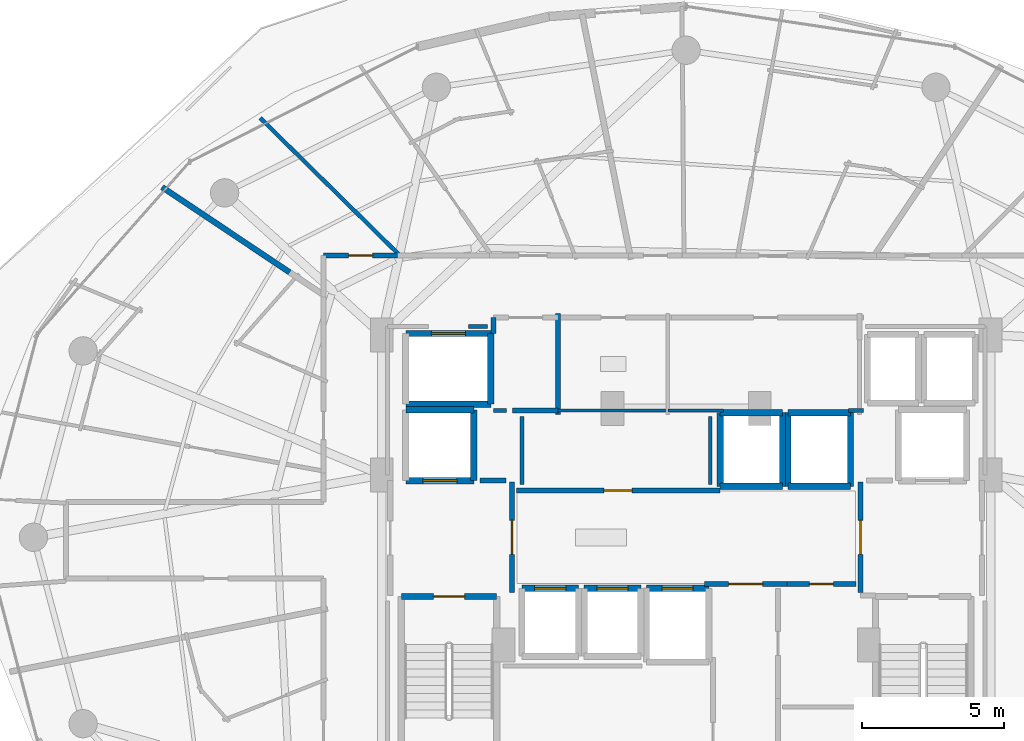
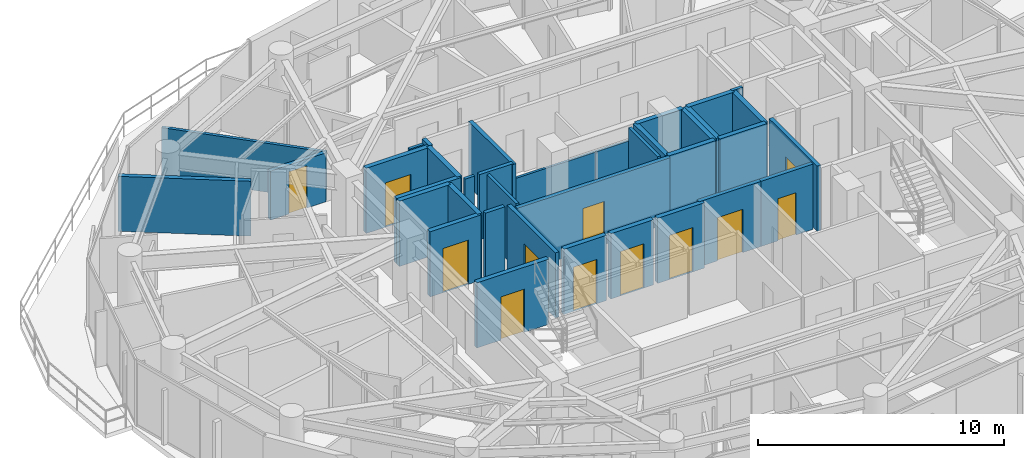
# One storey, part 22 of 29: 37 walls, 12 doors, 12 openings.
"""IFC4 building model written with IfcOpenShell, lengths in metres."""

from ifc_helpers import new_model, si_unit, direction, frame, frame_2d, origin, place, context, subcontext, project, spatial, rectangle, extrude, material, layer, layer_set, type_object, element, fill, save


model = new_model("IFC4")

# Units and contexts
model_context = context("Model", 3, precision=1e-05, world=origin(), true_north=direction((0.0, 1.0)))
body_context = subcontext(model_context, "Body", "Model", "MODEL_VIEW")
ifc_project = project(units=[si_unit("LENGTHUNIT", "METRE"), si_unit("AREAUNIT", "SQUARE_METRE"), si_unit("VOLUMEUNIT", "CUBIC_METRE"), si_unit("PLANEANGLEUNIT", "RADIAN"), si_unit("MASSUNIT", "GRAM", prefix="KILO")], contexts=[model_context])

# Site, building, storey
site_placement = place(None, origin())
site = spatial("IfcSite", under=ifc_project, at=site_placement, CompositionType="ELEMENT")
building_placement = place(site_placement, origin())
building = spatial("IfcBuilding", under=site, at=building_placement, Name="Vorneva Point Tower", CompositionType="ELEMENT")
storey_placement = place(building_placement, frame((0.0, 0.0, 150.10009765625)))
storey = spatial("IfcBuildingStorey", under=building, at=storey_placement, Name="L40", CompositionType="ELEMENT", Elevation=150.10009765625)

# Wall, opening, door
ifc_material_1 = material(Name="Concrete B60 (C50/60)", Category="concrete")
ifc_layer_1 = layer(ifc_material_1, 0.5)
ifc_layer_set_1 = layer_set([ifc_layer_1], Name="Concrete B60 (C50/60)")
wall_type_1 = type_object("IfcWallType", Name="WL-CORE-500", PredefinedType="SHEAR", material=ifc_layer_set_1)
wall_1_placement = place(storey_placement, frame((28.10009765625, 28.0, 0.0), z_axis=(0.0, 0.0, 1.0), x_axis=(1.0, 0.0, 0.0)))
wall_1 = element("IfcWall", 1, at=wall_1_placement, inside=storey, type_object=wall_type_1, Name="L40 Lift FFL1 Shaft Wall -Y", PredefinedType="SHEAR", context=body_context, shape_type="SweptSolid", body=[
    extrude(rectangle(XDim=2.39990234375, YDim=0.219970703125, at=frame_2d((1.199951171875, 0.0))), origin(), (0.0, 0.0, 1.0), 3.239990234375),
])
opening_1_placement = place(wall_1_placement, frame((0.60009765625, 0.0, 0.0)))
opening_1 = element("IfcOpeningElement", 2, at=opening_1_placement, cuts=wall_1, Name="Opening LD-02", PredefinedType="OPENING", context=body_context, shape_type="SweptSolid", body=[
    extrude(rectangle(XDim=1.199951171875, YDim=2.199951171875, at=frame_2d((0.60009765625, 1.10009765625))), frame((0.0, 0.125, 0.0), z_axis=(0.0, -1.0, 0.0), x_axis=(1.0, 0.0, 0.0)), (0.0, 0.0, 1.0), 0.249755859375),
])
ifc_material_2 = material(Name="Brushed stainless steel S304", Category="steel")
door_type_1 = type_object("IfcDoorType", Name="LD-FIRE-1200", OperationType="SLIDING_TO_LEFT", PredefinedType="DOOR", material=ifc_material_2)
door_1_placement = place(opening_1_placement, origin())
door_1 = element("IfcDoor", 3, at=door_1_placement, inside=storey, type_object=door_type_1, Name="L40 Lift FFL1 Sliding Landing Door", OperationType="SLIDING_TO_LEFT", OverallHeight=2.199951171875, OverallWidth=1.199951171875, PredefinedType="DOOR", context=body_context, shape_type="SweptSolid", body=[
    extrude(rectangle(XDim=1.199951171875, YDim=2.199951171875, at=frame_2d((0.60009765625, 1.10009765625))), frame((0.0, 0.02490234375, 0.0), z_axis=(0.0, -1.0, 0.0), x_axis=(1.0, 0.0, 0.0)), (0.0, 0.0, 1.0), 0.050048828125),
])
fill(opening_1, door_1)

# Walls
wall_2_placement = place(storey_placement, frame((30.5, 28.0, 0.0), z_axis=(0.0, 0.0, 1.0), x_axis=(0.0, 1.0, 0.0)))
element("IfcWall", 4, at=wall_2_placement, inside=storey, type_object=wall_type_1, Name="L40 Lift FFL1 Shaft Wall +X", PredefinedType="SHEAR", context=body_context, shape_type="SweptSolid", body=[
    extrude(rectangle(XDim=2.5, YDim=0.219970703125, at=frame_2d((1.25, 0.0))), origin(), (0.0, 0.0, 1.0), 3.239990234375),
])
wall_3_placement = place(storey_placement, frame((30.5, 30.5, 0.0), z_axis=(0.0, 0.0, 1.0), x_axis=(-1.0, 0.0, 0.0)))
element("IfcWall", 5, at=wall_3_placement, inside=storey, type_object=wall_type_1, Name="L40 Lift FFL1 Shaft Wall +Y", PredefinedType="SHEAR", context=body_context, shape_type="SweptSolid", body=[
    extrude(rectangle(XDim=2.39990234375, YDim=0.219970703125, at=frame_2d((1.199951171875, 0.0))), origin(), (0.0, 0.0, 1.0), 3.239990234375),
])
ifc_material_3 = material(Name="Fire-rated acoustic gypsum stud partition", Category="gypsum")
ifc_layer_2 = layer(ifc_material_3, 0.110107421875)
ifc_layer_set_2 = layer_set([ifc_layer_2], Name="Fire-rated acoustic gypsum stud partition")
wall_type_2 = type_object("IfcWallType", Name="WL-PART-110", PredefinedType="PARTITIONING", material=ifc_layer_set_2)
wall_4_placement = place(storey_placement, frame((33.360107421875, 30.47998046875, 0.0), z_axis=(0.0, 0.0, 1.0), x_axis=(1.0, 0.0, 0.0)))
element("IfcWall", 6, at=wall_4_placement, inside=storey, type_object=wall_type_2, Name="L40 Interior Partition 020", PredefinedType="PARTITIONING", context=body_context, shape_type="SweptSolid", body=[
    extrude(rectangle(XDim=4.114990234375, YDim=0.110107421875, at=frame_2d((2.0576171875, 0.0))), origin(), (0.0, 0.0, 1.0), 2.431884765625),
])
wall_5_placement = place(storey_placement, frame((37.364990234375, 30.47998046875, 0.0), z_axis=(0.0, 0.0, 1.0), x_axis=(1.0, 0.0, 0.0)))
element("IfcWall", 7, at=wall_5_placement, inside=storey, type_object=wall_type_2, Name="L40 Interior Partition 022", PredefinedType="PARTITIONING", context=body_context, shape_type="SweptSolid", body=[
    extrude(rectangle(XDim=1.955078125, YDim=0.110107421875, at=frame_2d((0.9775390625, 0.0))), origin(), (0.0, 0.0, 1.0), 2.431884765625),
])
ifc_layer_3 = layer(ifc_material_3, 0.139892578125)
ifc_layer_set_3 = layer_set([ifc_layer_3], Name="Fire-rated acoustic gypsum stud partition")
wall_type_3 = type_object("IfcWallType", Name="WL-PART-140", PredefinedType="PARTITIONING", material=ifc_layer_set_3)
wall_6_placement = place(storey_placement, frame((22.9599609375, 40.805908203125, 0.0), z_axis=(0.0, 0.0, 1.0), x_axis=(0.712587980465, -0.70158276069, 0.0)))
element("IfcWall", 8, at=wall_6_placement, inside=storey, type_object=wall_type_3, Name="L40 Interior Partition 094", PredefinedType="PARTITIONING", context=body_context, shape_type="SweptSolid", body=[
    extrude(rectangle(XDim=6.92138671875, YDim=0.139892578125, at=frame_2d((3.460693359375, 0.0))), origin(), (0.0, 0.0, 1.0), 2.431884765625),
])
wall_7_placement = place(storey_placement, frame((31.199951171875, 30.47998046875, 0.0), z_axis=(0.0, 0.0, 1.0), x_axis=(1.0, 0.0, 0.0)))
element("IfcWall", 9, at=wall_7_placement, inside=storey, type_object=wall_type_3, Name="L40 Interior Closure Partition 138", PredefinedType="PARTITIONING", context=body_context, shape_type="SweptSolid", body=[
    extrude(rectangle(XDim=0.449951171875, YDim=0.139892578125, at=frame_2d((0.22509765625, 0.0))), origin(), (0.0, 0.0, 1.0), 3.239990234375),
])
wall_8_placement = place(storey_placement, frame((43.735107421875, 30.47998046875, 0.0), z_axis=(0.0, 0.0, 1.0), x_axis=(1.0, 0.0, 0.0)))
element("IfcWall", 10, at=wall_8_placement, inside=storey, type_object=wall_type_3, Name="L40 Interior Closure Partition 139", PredefinedType="PARTITIONING", context=body_context, shape_type="SweptSolid", body=[
    extrude(rectangle(XDim=0.52490234375, YDim=0.139892578125, at=frame_2d((0.262451171875, 0.0))), origin(), (0.0, 0.0, 1.0), 3.239990234375),
])
for number, where, z_axis, x_axis, name in (
    (11, (32.199951171875, 30.260009765625, 0.0), (0.0, 0.0, 1.0), (0.0, -1.0, 0.0), "L40 Interior Closure Partition 142"),
    (12, (38.85009765625, 27.8701171875, 0.0), (0.0, 0.0, 1.0), (0.0, 1.0, 0.0), "L40 Interior Closure Partition 143"),
):
    element("IfcWall", number, at=place(storey_placement, frame(where, z_axis=z_axis, x_axis=x_axis)), inside=storey, type_object=wall_type_3, Name=name, PredefinedType="PARTITIONING", context=body_context, shape_type="SweptSolid", body=[
        extrude(rectangle(XDim=2.389892578125, YDim=0.139892578125, at=frame_2d((1.19482421875, 0.0))), origin(), (0.0, 0.0, 1.0), 3.239990234375),
    ])
wall_9_placement = place(storey_placement, frame((30.97998046875, 33.449951171875, 0.0), z_axis=(0.0, 0.0, 1.0), x_axis=(-1.0, 0.0, 0.0)))
element("IfcWall", 13, at=wall_9_placement, inside=storey, type_object=wall_type_3, Name="L40 Interior Closure Partition 148", PredefinedType="PARTITIONING", context=body_context, shape_type="SweptSolid", body=[
    extrude(rectangle(XDim=0.674072265625, YDim=0.139892578125, at=frame_2d((0.3369140625, 0.0))), origin(), (0.0, 0.0, 1.0), 3.239990234375),
])

# Wall, opening, door
ifc_material_4 = material(Name="Autoclaved aerated concrete blockwork", Category="masonry")
ifc_layer_4 = layer(ifc_material_4, 0.179931640625)
ifc_layer_set_4 = layer_set([ifc_layer_4], Name="Autoclaved aerated concrete blockwork")
wall_type_4 = type_object("IfcWallType", Name="WL-PART-180", PredefinedType="PARTITIONING", material=ifc_layer_set_4)
wall_10_placement = place(storey_placement, frame((31.85009765625, 24.044921875, 0.0), z_axis=(0.0, 0.0, 1.0), x_axis=(0.0, 1.0, 0.0)))
wall_10 = element("IfcWall", 14, at=wall_10_placement, inside=storey, type_object=wall_type_4, Name="L40 Interior Partition 001", PredefinedType="PARTITIONING", context=body_context, shape_type="SweptSolid", body=[
    extrude(rectangle(XDim=3.91015625, YDim=0.179931640625, at=frame_2d((1.955078125, 0.0))), origin(), (0.0, 0.0, 1.0), 3.239990234375),
])
opening_2_placement = place(wall_10_placement, frame((1.35498046875, 0.0, 0.0)))
opening_2 = element("IfcOpeningElement", 15, at=opening_2_placement, cuts=wall_10, Name="Opening FD-02", PredefinedType="OPENING", context=body_context, shape_type="SweptSolid", body=[
    extrude(rectangle(XDim=1.199951171875, YDim=2.14990234375, at=frame_2d((0.60009765625, 1.074951171875))), frame((0.0, 0.10498046875, 0.0), z_axis=(0.0, -1.0, 0.0), x_axis=(1.0, 0.0, 0.0)), (0.0, 0.0, 1.0), 0.209716796875),
])
ifc_material_5 = material(Name="Fire-rated powder-coated steel", Category="steel")
door_type_2 = type_object("IfcDoorType", Name="DR-FFL-1200", OperationType="NOTDEFINED", PredefinedType="DOOR", material=ifc_material_5)
door_2_placement = place(opening_2_placement, origin())
door_2 = element("IfcDoor", 16, at=door_2_placement, inside=storey, type_object=door_type_2, Name="L40 Door West Firefighting Lobby / Central Lift Lobby", OperationType="SINGLE_SWING_RIGHT", OverallHeight=2.14990234375, OverallWidth=1.199951171875, PredefinedType="DOOR", context=body_context, shape_type="SweptSolid", body=[
    extrude(rectangle(XDim=1.199951171875, YDim=2.14990234375, at=frame_2d((0.60009765625, 1.074951171875))), frame((0.0, 0.02490234375, 0.0), z_axis=(0.0, -1.0, 0.0), x_axis=(1.0, 0.0, 0.0)), (0.0, 0.0, 1.0), 0.050048828125),
])
fill(opening_2, door_2)

wall_11_placement = place(storey_placement, frame((44.14990234375, 27.955078125, 0.0), z_axis=(0.0, 0.0, 1.0), x_axis=(0.0, -1.0, 0.0)))
wall_11 = element("IfcWall", 17, at=wall_11_placement, inside=storey, type_object=wall_type_4, Name="L40 Interior Partition 003", PredefinedType="PARTITIONING", context=body_context, shape_type="SweptSolid", body=[
    extrude(rectangle(XDim=3.91015625, YDim=0.179931640625, at=frame_2d((1.955078125, 0.0))), origin(), (0.0, 0.0, 1.0), 3.239990234375),
])
opening_3_placement = place(wall_11_placement, frame((1.35498046875, 0.0, 0.0)))
opening_3 = element("IfcOpeningElement", 18, at=opening_3_placement, cuts=wall_11, Name="Opening FD-02", PredefinedType="OPENING", context=body_context, shape_type="SweptSolid", body=[
    extrude(rectangle(XDim=1.199951171875, YDim=2.14990234375, at=frame_2d((0.60009765625, 1.074951171875))), frame((0.0, 0.10498046875, 0.0), z_axis=(0.0, -1.0, 0.0), x_axis=(1.0, 0.0, 0.0)), (0.0, 0.0, 1.0), 0.209716796875),
])
door_3_placement = place(opening_3_placement, origin())
door_3 = element("IfcDoor", 19, at=door_3_placement, inside=storey, type_object=door_type_2, Name="L40 Door East Firefighting Lobby / Central Lift Lobby", OperationType="SINGLE_SWING_RIGHT", OverallHeight=2.14990234375, OverallWidth=1.199951171875, PredefinedType="DOOR", context=body_context, shape_type="SweptSolid", body=[
    extrude(rectangle(XDim=1.199951171875, YDim=2.14990234375, at=frame_2d((0.60009765625, 1.074951171875))), frame((0.0, 0.02490234375, 0.0), z_axis=(0.0, -1.0, 0.0), x_axis=(1.0, 0.0, 0.0)), (0.0, 0.0, 1.0), 0.050048828125),
])
fill(opening_3, door_3)

# Walls
wall_12_placement = place(storey_placement, frame((33.469970703125, 30.340087890625, 0.0), z_axis=(0.0, 0.0, 1.0), x_axis=(0.0, 1.0, 0.0)))
element("IfcWall", 20, at=wall_12_placement, inside=storey, type_object=wall_type_4, Name="L40 Interior Partition 006", PredefinedType="PARTITIONING", context=body_context, shape_type="SweptSolid", body=[
    extrude(rectangle(XDim=3.559814453125, YDim=0.179931640625, at=frame_2d((1.77978515625, 0.0))), origin(), (0.0, 0.0, 1.0), 3.239990234375),
])
wall_13_placement = place(storey_placement, frame((31.8701171875, 30.47998046875, 0.0), z_axis=(0.0, 0.0, 1.0), x_axis=(1.0, 0.0, 0.0)))
element("IfcWall", 21, at=wall_13_placement, inside=storey, type_object=wall_type_4, Name="L40 Interior Partition 007", PredefinedType="PARTITIONING", context=body_context, shape_type="SweptSolid", body=[
    extrude(rectangle(XDim=1.599853515625, YDim=0.179931640625, at=frame_2d((0.7998046875, 0.0))), origin(), (0.0, 0.0, 1.0), 3.239990234375),
])
wall_14_placement = place(storey_placement, frame((31.199951171875, 33.760009765625, 0.0), z_axis=(0.0, 0.0, 1.0), x_axis=(0.0, -1.0, 0.0)))
element("IfcWall", 22, at=wall_14_placement, inside=storey, type_object=wall_type_4, Name="L40 Interior Partition 009", PredefinedType="PARTITIONING", context=body_context, shape_type="SweptSolid", body=[
    extrude(rectangle(XDim=0.56005859375, YDim=0.179931640625, at=frame_2d((0.280029296875, 0.0))), origin(), (0.0, 0.0, 1.0), 3.239990234375),
])

# Wall, opening, door
wall_15_placement = place(storey_placement, frame((38.64501953125, 24.35009765625, 0.0), z_axis=(0.0, 0.0, 1.0), x_axis=(1.0, 0.0, 0.0)))
wall_15 = element("IfcWall", 23, at=wall_15_placement, inside=storey, type_object=wall_type_4, Name="L40 Interior Partition 010", PredefinedType="PARTITIONING", context=body_context, shape_type="SweptSolid", body=[
    extrude(rectangle(XDim=2.909912109375, YDim=0.179931640625, at=frame_2d((1.455078125, 0.0))), origin(), (0.0, 0.0, 1.0), 3.239990234375),
])
opening_4_placement = place(wall_15_placement, frame((0.85498046875, 0.0, 0.0)))
opening_4 = element("IfcOpeningElement", 24, at=opening_4_placement, cuts=wall_15, Name="Opening FD-02", PredefinedType="OPENING", context=body_context, shape_type="SweptSolid", body=[
    extrude(rectangle(XDim=1.199951171875, YDim=2.14990234375, at=frame_2d((0.60009765625, 1.074951171875))), frame((0.0, 0.10498046875, 0.0), z_axis=(0.0, -1.0, 0.0), x_axis=(1.0, 0.0, 0.0)), (0.0, 0.0, 1.0), 0.209716796875),
])
door_4_placement = place(opening_4_placement, origin())
door_4 = element("IfcDoor", 25, at=door_4_placement, inside=storey, type_object=door_type_2, Name="L40 Door Central Lift Lobby / Core Service Lobby", OperationType="SINGLE_SWING_LEFT", OverallHeight=2.14990234375, OverallWidth=1.199951171875, PredefinedType="DOOR", context=body_context, shape_type="SweptSolid", body=[
    extrude(rectangle(XDim=1.199951171875, YDim=2.14990234375, at=frame_2d((0.60009765625, 1.074951171875))), frame((0.0, 0.02490234375, 0.0), z_axis=(0.0, -1.0, 0.0), x_axis=(1.0, 0.0, 0.0)), (0.0, 0.0, 1.0), 0.050048828125),
])
fill(opening_4, door_4)

wall_16_placement = place(storey_placement, frame((41.554931640625, 24.35009765625, 0.0), z_axis=(0.0, 0.0, 1.0), x_axis=(1.0, 0.0, 0.0)))
wall_16 = element("IfcWall", 26, at=wall_16_placement, inside=storey, type_object=wall_type_4, Name="L40 Interior Partition 011", PredefinedType="PARTITIONING", context=body_context, shape_type="SweptSolid", body=[
    extrude(rectangle(XDim=2.445068359375, YDim=0.179931640625, at=frame_2d((1.22265625, 0.0))), origin(), (0.0, 0.0, 1.0), 3.239990234375),
])
opening_5_placement = place(wall_16_placement, frame((0.797607421875, 0.0, 0.0)))
opening_5 = element("IfcOpeningElement", 27, at=opening_5_placement, cuts=wall_16, Name="Opening ID-02", PredefinedType="OPENING", context=body_context, shape_type="SweptSolid", body=[
    extrude(rectangle(XDim=0.85009765625, YDim=2.10009765625, at=frame_2d((0.425048828125, 1.050048828125))), frame((0.0, 0.10498046875, 0.0), z_axis=(0.0, -1.0, 0.0), x_axis=(1.0, 0.0, 0.0)), (0.0, 0.0, 1.0), 0.209716796875),
])
ifc_material_6 = material(Name="Engineered oak fire-rated door leaf", Category="wood")
door_type_3 = type_object("IfcDoorType", Name="DR-BATH-850", OperationType="NOTDEFINED", PredefinedType="DOOR", material=ifc_material_6)
door_5_placement = place(opening_5_placement, origin())
door_5 = element("IfcDoor", 28, at=door_5_placement, inside=storey, type_object=door_type_3, Name="L40 Door Central Lift Lobby / Cleaners Store", OperationType="SINGLE_SWING_RIGHT", OverallHeight=2.10009765625, OverallWidth=0.85009765625, PredefinedType="DOOR", context=body_context, shape_type="SweptSolid", body=[
    extrude(rectangle(XDim=0.85009765625, YDim=2.10009765625, at=frame_2d((0.425048828125, 1.050048828125))), frame((0.0, 0.02490234375, 0.0), z_axis=(0.0, -1.0, 0.0), x_axis=(1.0, 0.0, 0.0)), (0.0, 0.0, 1.0), 0.050048828125),
])
fill(opening_5, door_5)

wall_17_placement = place(storey_placement, frame((39.18994140625, 27.64990234375, 0.0), z_axis=(0.0, 0.0, 1.0), x_axis=(-1.0, 0.0, 0.0)))
wall_17 = element("IfcWall", 29, at=wall_17_placement, inside=storey, type_object=wall_type_4, Name="L40 Interior Partition 012", PredefinedType="PARTITIONING", context=body_context, shape_type="SweptSolid", body=[
    extrude(rectangle(XDim=7.18994140625, YDim=0.179931640625, at=frame_2d((3.594970703125, 0.0))), origin(), (0.0, 0.0, 1.0), 3.239990234375),
])
opening_6_placement = place(wall_17_placement, frame((3.094970703125, 0.0, 0.0)))
opening_6 = element("IfcOpeningElement", 30, at=opening_6_placement, cuts=wall_17, Name="Opening UD-01", PredefinedType="OPENING", context=body_context, shape_type="SweptSolid", body=[
    extrude(rectangle(XDim=1.0, YDim=2.14990234375, at=frame_2d((0.5, 1.074951171875))), frame((0.0, 0.10498046875, 0.0), z_axis=(0.0, -1.0, 0.0), x_axis=(1.0, 0.0, 0.0)), (0.0, 0.0, 1.0), 0.209716796875),
])
door_type_4 = type_object("IfcDoorType", Name="DR-UNIT-1000", OperationType="NOTDEFINED", PredefinedType="DOOR", material=ifc_material_6)
door_6_placement = place(opening_6_placement, origin())
door_6 = element("IfcDoor", 31, at=door_6_placement, inside=storey, type_object=door_type_4, Name="L40 Door Central Lift Lobby / Reclaimed Core Meeting Room", OperationType="SINGLE_SWING_LEFT", OverallHeight=2.14990234375, OverallWidth=1.0, PredefinedType="DOOR", context=body_context, shape_type="SweptSolid", body=[
    extrude(rectangle(XDim=1.0, YDim=2.14990234375, at=frame_2d((0.5, 1.074951171875))), frame((0.0, 0.02490234375, 0.0), z_axis=(0.0, -1.0, 0.0), x_axis=(1.0, 0.0, 0.0)), (0.0, 0.0, 1.0), 0.050048828125),
])
fill(opening_6, door_6)

wall_18_placement = place(storey_placement, frame((27.805908203125, 35.949951171875, 0.0), z_axis=(0.0, 0.0, 1.0), x_axis=(-1.0, 0.0, 0.0)))
wall_18 = element("IfcWall", 32, at=wall_18_placement, inside=storey, type_object=wall_type_4, Name="L40 Interior Partition 038", PredefinedType="PARTITIONING", context=body_context, shape_type="SweptSolid", body=[
    extrude(rectangle(XDim=2.60595703125, YDim=0.179931640625, at=frame_2d((1.302978515625, 0.0))), origin(), (0.0, 0.0, 1.0), 2.431884765625),
])
opening_7_placement = place(wall_18_placement, frame((0.8779296875, 0.0, 0.0)))
opening_7 = element("IfcOpeningElement", 33, at=opening_7_placement, cuts=wall_18, Name="Opening ID-02", PredefinedType="OPENING", context=body_context, shape_type="SweptSolid", body=[
    extrude(rectangle(XDim=0.85009765625, YDim=2.10009765625, at=frame_2d((0.425048828125, 1.050048828125))), frame((0.0, 0.10498046875, 0.0), z_axis=(0.0, -1.0, 0.0), x_axis=(1.0, 0.0, 0.0)), (0.0, 0.0, 1.0), 0.209716796875),
])
door_7_placement = place(opening_7_placement, origin())
door_7 = element("IfcDoor", 34, at=door_7_placement, inside=storey, type_object=door_type_3, Name="L40 Access Door L40 Circulation Corridor", OperationType="SINGLE_SWING_LEFT", OverallHeight=2.10009765625, OverallWidth=0.85009765625, PredefinedType="DOOR", context=body_context, shape_type="SweptSolid", body=[
    extrude(rectangle(XDim=0.85009765625, YDim=2.10009765625, at=frame_2d((0.425048828125, 1.050048828125))), frame((0.0, 0.02490234375, 0.0), z_axis=(0.0, -1.0, 0.0), x_axis=(1.0, 0.0, 0.0)), (0.0, 0.0, 1.0), 0.050048828125),
])
fill(opening_7, door_7)

# Walls
wall_19_placement = place(storey_placement, frame((31.635009765625, 28.0, 0.0), z_axis=(0.0, 0.0, 1.0), x_axis=(-1.0, 0.0, 0.0)))
element("IfcWall", 35, at=wall_19_placement, inside=storey, type_object=wall_type_4, Name="L40 Interior Closure Partition 136", PredefinedType="PARTITIONING", context=body_context, shape_type="SweptSolid", body=[
    extrude(rectangle(XDim=0.9150390625, YDim=0.179931640625, at=frame_2d((0.45751953125, 0.0))), origin(), (0.0, 0.0, 1.0), 3.239990234375),
])
ifc_layer_5 = layer(ifc_material_4, 0.199951171875)
ifc_layer_set_5 = layer_set([ifc_layer_5], Name="Autoclaved aerated concrete blockwork")
wall_type_5 = type_object("IfcWallType", Name="WL-PART-200", PredefinedType="PARTITIONING", material=ifc_layer_set_5)
wall_20_placement = place(storey_placement, frame((19.4951171875, 38.364013671875, 0.0), z_axis=(0.0, 0.0, 1.0), x_axis=(0.831529389247, -0.55548076008, 0.0)))
element("IfcWall", 36, at=wall_20_placement, inside=storey, type_object=wall_type_5, Name="L40 Interior Partition 096", PredefinedType="PARTITIONING", context=body_context, shape_type="SweptSolid", body=[
    extrude(rectangle(XDim=5.41162109375, YDim=0.199951171875, at=frame_2d((2.705810546875, 0.0))), origin(), (0.0, 0.0, 1.0), 2.727783203125),
])

# Wall, opening, door
ifc_material_7 = material(Name="Concrete B50 (C40/50)", Category="concrete")
ifc_layer_6 = layer(ifc_material_7, 0.219970703125)
ifc_layer_set_6 = layer_set([ifc_layer_6], Name="Concrete B50 (C40/50)")
wall_type_6 = type_object("IfcWallType", Name="WL-SHFT-220", PredefinedType="SOLIDWALL", material=ifc_layer_set_6)
wall_21_placement = place(storey_placement, frame((27.93994140625, 23.909912109375, 0.0), z_axis=(0.0, 0.0, 1.0), x_axis=(1.0, 0.0, 0.0)))
wall_21 = element("IfcWall", 37, at=wall_21_placement, inside=storey, type_object=wall_type_6, Name="L40 Exit Stair ST1 Shaft Wall near", PredefinedType="SOLIDWALL", context=body_context, shape_type="SweptSolid", body=[
    extrude(rectangle(XDim=3.3701171875, YDim=0.219970703125, at=frame_2d((1.68505859375, 0.0))), origin(), (0.0, 0.0, 1.0), 3.239990234375),
])
opening_8_placement = place(wall_21_placement, frame((1.135009765625, 0.0, 0.0)))
opening_8 = element("IfcOpeningElement", 38, at=opening_8_placement, cuts=wall_21, Name="Opening FD-01", PredefinedType="OPENING", context=body_context, shape_type="SweptSolid", body=[
    extrude(rectangle(XDim=1.10009765625, YDim=2.14990234375, at=frame_2d((0.550048828125, 1.074951171875))), frame((0.0, 0.125, 0.0), z_axis=(0.0, -1.0, 0.0), x_axis=(1.0, 0.0, 0.0)), (0.0, 0.0, 1.0), 0.249755859375),
])
door_type_5 = type_object("IfcDoorType", Name="DR-STAIR-1100", OperationType="NOTDEFINED", PredefinedType="DOOR", material=ifc_material_5)
door_8_placement = place(opening_8_placement, origin())
door_8 = element("IfcDoor", 39, at=door_8_placement, inside=storey, type_object=door_type_5, Name="L40 Exit Stair ST1 Fire Door", OperationType="SINGLE_SWING_RIGHT", OverallHeight=2.14990234375, OverallWidth=1.10009765625, PredefinedType="DOOR", context=body_context, shape_type="SweptSolid", body=[
    extrude(rectangle(XDim=1.10009765625, YDim=2.14990234375, at=frame_2d((0.550048828125, 1.074951171875))), frame((0.0, 0.02490234375, 0.0), z_axis=(0.0, -1.0, 0.0), x_axis=(1.0, 0.0, 0.0)), (0.0, 0.0, 1.0), 0.050048828125),
])
fill(opening_8, door_8)

wall_22_placement = place(storey_placement, frame((34.199951171875, 24.199951171875, 0.0), z_axis=(0.0, 0.0, 1.0), x_axis=(-1.0, 0.0, 0.0)))
wall_22 = element("IfcWall", 40, at=wall_22_placement, inside=storey, type_object=wall_type_6, Name="L40 Lift PL4 Shaft Wall +Y", PredefinedType="SOLIDWALL", context=body_context, shape_type="SweptSolid", body=[
    extrude(rectangle(XDim=2.0, YDim=0.219970703125, at=frame_2d((1.0, 0.0))), origin(), (0.0, 0.0, 1.0), 3.239990234375),
])
opening_9_placement = place(wall_22_placement, frame((0.449951171875, 0.0, 0.0)))
opening_9 = element("IfcOpeningElement", 41, at=opening_9_placement, cuts=wall_22, Name="Opening LD-01", PredefinedType="OPENING", context=body_context, shape_type="SweptSolid", body=[
    extrude(rectangle(XDim=1.10009765625, YDim=2.199951171875, at=frame_2d((0.550048828125, 1.10009765625))), frame((0.0, 0.125, 0.0), z_axis=(0.0, -1.0, 0.0), x_axis=(1.0, 0.0, 0.0)), (0.0, 0.0, 1.0), 0.249755859375),
])
door_type_6 = type_object("IfcDoorType", Name="LD-PASS-1100", OperationType="SLIDING_TO_LEFT", PredefinedType="DOOR", material=ifc_material_2)
door_9_placement = place(opening_9_placement, origin())
door_9 = element("IfcDoor", 42, at=door_9_placement, inside=storey, type_object=door_type_6, Name="L40 Lift PL4 Sliding Landing Door", OperationType="SLIDING_TO_LEFT", OverallHeight=2.199951171875, OverallWidth=1.10009765625, PredefinedType="DOOR", context=body_context, shape_type="SweptSolid", body=[
    extrude(rectangle(XDim=1.10009765625, YDim=2.199951171875, at=frame_2d((0.550048828125, 1.10009765625))), frame((0.0, 0.02490234375, 0.0), z_axis=(0.0, -1.0, 0.0), x_axis=(1.0, 0.0, 0.0)), (0.0, 0.0, 1.0), 0.050048828125),
])
fill(opening_9, door_9)

wall_23_placement = place(storey_placement, frame((36.39990234375, 24.199951171875, 0.0), z_axis=(0.0, 0.0, 1.0), x_axis=(-1.0, 0.0, 0.0)))
wall_23 = element("IfcWall", 43, at=wall_23_placement, inside=storey, type_object=wall_type_6, Name="L40 Lift PL5 Shaft Wall +Y", PredefinedType="SOLIDWALL", context=body_context, shape_type="SweptSolid", body=[
    extrude(rectangle(XDim=2.0, YDim=0.219970703125, at=frame_2d((1.0, 0.0))), origin(), (0.0, 0.0, 1.0), 3.239990234375),
])
opening_10_placement = place(wall_23_placement, frame((0.449951171875, 0.0, 0.0)))
opening_10 = element("IfcOpeningElement", 44, at=opening_10_placement, cuts=wall_23, Name="Opening LD-01", PredefinedType="OPENING", context=body_context, shape_type="SweptSolid", body=[
    extrude(rectangle(XDim=1.10009765625, YDim=2.199951171875, at=frame_2d((0.550048828125, 1.10009765625))), frame((0.0, 0.125, 0.0), z_axis=(0.0, -1.0, 0.0), x_axis=(1.0, 0.0, 0.0)), (0.0, 0.0, 1.0), 0.249755859375),
])
door_10_placement = place(opening_10_placement, origin())
door_10 = element("IfcDoor", 45, at=door_10_placement, inside=storey, type_object=door_type_6, Name="L40 Lift PL5 Sliding Landing Door", OperationType="SLIDING_TO_LEFT", OverallHeight=2.199951171875, OverallWidth=1.10009765625, PredefinedType="DOOR", context=body_context, shape_type="SweptSolid", body=[
    extrude(rectangle(XDim=1.10009765625, YDim=2.199951171875, at=frame_2d((0.550048828125, 1.10009765625))), frame((0.0, 0.02490234375, 0.0), z_axis=(0.0, -1.0, 0.0), x_axis=(1.0, 0.0, 0.0)), (0.0, 0.0, 1.0), 0.050048828125),
])
fill(opening_10, door_10)

wall_24_placement = place(storey_placement, frame((38.800048828125, 24.199951171875, 0.0), z_axis=(0.0, 0.0, 1.0), x_axis=(-1.0, 0.0, 0.0)))
wall_24 = element("IfcWall", 46, at=wall_24_placement, inside=storey, type_object=wall_type_6, Name="L40 Lift PL6 Shaft Wall +Y", PredefinedType="SOLIDWALL", context=body_context, shape_type="SweptSolid", body=[
    extrude(rectangle(XDim=2.199951171875, YDim=0.219970703125, at=frame_2d((1.10009765625, 0.0))), origin(), (0.0, 0.0, 1.0), 3.239990234375),
])
opening_11_placement = place(wall_24_placement, frame((0.550048828125, 0.0, 0.0)))
opening_11 = element("IfcOpeningElement", 47, at=opening_11_placement, cuts=wall_24, Name="Opening LD-01", PredefinedType="OPENING", context=body_context, shape_type="SweptSolid", body=[
    extrude(rectangle(XDim=1.10009765625, YDim=2.199951171875, at=frame_2d((0.550048828125, 1.10009765625))), frame((0.0, 0.125, 0.0), z_axis=(0.0, -1.0, 0.0), x_axis=(1.0, 0.0, 0.0)), (0.0, 0.0, 1.0), 0.249755859375),
])
door_11_placement = place(opening_11_placement, origin())
door_11 = element("IfcDoor", 48, at=door_11_placement, inside=storey, type_object=door_type_6, Name="L40 Lift PL6 Sliding Landing Door", OperationType="SLIDING_TO_LEFT", OverallHeight=2.199951171875, OverallWidth=1.10009765625, PredefinedType="DOOR", context=body_context, shape_type="SweptSolid", body=[
    extrude(rectangle(XDim=1.10009765625, YDim=2.199951171875, at=frame_2d((0.550048828125, 1.10009765625))), frame((0.0, 0.02490234375, 0.0), z_axis=(0.0, -1.0, 0.0), x_axis=(1.0, 0.0, 0.0)), (0.0, 0.0, 1.0), 0.050048828125),
])
fill(opening_11, door_11)

# Walls
wall_25_placement = place(storey_placement, frame((39.199951171875, 27.800048828125, 0.0), z_axis=(0.0, 0.0, 1.0), x_axis=(1.0, 0.0, 0.0)))
element("IfcWall", 49, at=wall_25_placement, inside=storey, type_object=wall_type_6, Name="L40 Lift PL7 Shaft Wall -Y", PredefinedType="SOLIDWALL", context=body_context, shape_type="SweptSolid", body=[
    extrude(rectangle(XDim=2.199951171875, YDim=0.219970703125, at=frame_2d((1.10009765625, 0.0))), origin(), (0.0, 0.0, 1.0), 3.239990234375),
])
wall_26_placement = place(storey_placement, frame((41.39990234375, 27.800048828125, 0.0), z_axis=(0.0, 0.0, 1.0), x_axis=(0.0, 1.0, 0.0)))
element("IfcWall", 50, at=wall_26_placement, inside=storey, type_object=wall_type_6, Name="L40 Lift PL7 Shaft Wall +X", PredefinedType="SOLIDWALL", context=body_context, shape_type="SweptSolid", body=[
    extrude(rectangle(XDim=2.599853515625, YDim=0.219970703125, at=frame_2d((1.2998046875, 0.0))), origin(), (0.0, 0.0, 1.0), 3.239990234375),
])
wall_27_placement = place(storey_placement, frame((41.39990234375, 30.39990234375, 0.0), z_axis=(0.0, 0.0, 1.0), x_axis=(-1.0, 0.0, 0.0)))
element("IfcWall", 51, at=wall_27_placement, inside=storey, type_object=wall_type_6, Name="L40 Lift PL7 Shaft Wall +Y", PredefinedType="SOLIDWALL", context=body_context, shape_type="SweptSolid", body=[
    extrude(rectangle(XDim=2.199951171875, YDim=0.219970703125, at=frame_2d((1.10009765625, 0.0))), origin(), (0.0, 0.0, 1.0), 3.239990234375),
])
wall_28_placement = place(storey_placement, frame((39.199951171875, 30.39990234375, 0.0), z_axis=(0.0, 0.0, 1.0), x_axis=(0.0, -1.0, 0.0)))
element("IfcWall", 52, at=wall_28_placement, inside=storey, type_object=wall_type_6, Name="L40 Lift PL7 Shaft Wall -X", PredefinedType="SOLIDWALL", context=body_context, shape_type="SweptSolid", body=[
    extrude(rectangle(XDim=2.599853515625, YDim=0.219970703125, at=frame_2d((1.2998046875, 0.0))), origin(), (0.0, 0.0, 1.0), 3.239990234375),
])
wall_29_placement = place(storey_placement, frame((41.60009765625, 27.800048828125, 0.0), z_axis=(0.0, 0.0, 1.0), x_axis=(1.0, 0.0, 0.0)))
element("IfcWall", 53, at=wall_29_placement, inside=storey, type_object=wall_type_6, Name="L40 Lift PL8 Shaft Wall -Y", PredefinedType="SOLIDWALL", context=body_context, shape_type="SweptSolid", body=[
    extrude(rectangle(XDim=2.199951171875, YDim=0.219970703125, at=frame_2d((1.10009765625, 0.0))), origin(), (0.0, 0.0, 1.0), 3.239990234375),
])
wall_30_placement = place(storey_placement, frame((43.800048828125, 27.800048828125, 0.0), z_axis=(0.0, 0.0, 1.0), x_axis=(0.0, 1.0, 0.0)))
element("IfcWall", 54, at=wall_30_placement, inside=storey, type_object=wall_type_6, Name="L40 Lift PL8 Shaft Wall +X", PredefinedType="SOLIDWALL", context=body_context, shape_type="SweptSolid", body=[
    extrude(rectangle(XDim=2.599853515625, YDim=0.219970703125, at=frame_2d((1.2998046875, 0.0))), origin(), (0.0, 0.0, 1.0), 3.239990234375),
])
wall_31_placement = place(storey_placement, frame((43.800048828125, 30.39990234375, 0.0), z_axis=(0.0, 0.0, 1.0), x_axis=(-1.0, 0.0, 0.0)))
element("IfcWall", 55, at=wall_31_placement, inside=storey, type_object=wall_type_6, Name="L40 Lift PL8 Shaft Wall +Y", PredefinedType="SOLIDWALL", context=body_context, shape_type="SweptSolid", body=[
    extrude(rectangle(XDim=2.199951171875, YDim=0.219970703125, at=frame_2d((1.10009765625, 0.0))), origin(), (0.0, 0.0, 1.0), 3.239990234375),
])
wall_32_placement = place(storey_placement, frame((41.60009765625, 30.39990234375, 0.0), z_axis=(0.0, 0.0, 1.0), x_axis=(0.0, -1.0, 0.0)))
element("IfcWall", 56, at=wall_32_placement, inside=storey, type_object=wall_type_6, Name="L40 Lift PL8 Shaft Wall -X", PredefinedType="SOLIDWALL", context=body_context, shape_type="SweptSolid", body=[
    extrude(rectangle(XDim=2.599853515625, YDim=0.219970703125, at=frame_2d((1.2998046875, 0.0))), origin(), (0.0, 0.0, 1.0), 3.239990234375),
])
wall_33_placement = place(storey_placement, frame((28.10009765625, 30.699951171875, 0.0), z_axis=(0.0, 0.0, 1.0), x_axis=(1.0, 0.0, 0.0)))
element("IfcWall", 57, at=wall_33_placement, inside=storey, type_object=wall_type_6, Name="L40 Lift SVL1 Shaft Wall -Y", PredefinedType="SOLIDWALL", context=body_context, shape_type="SweptSolid", body=[
    extrude(rectangle(XDim=3.0, YDim=0.219970703125, at=frame_2d((1.5, 0.0))), origin(), (0.0, 0.0, 1.0), 3.239990234375),
])
wall_34_placement = place(storey_placement, frame((31.10009765625, 30.699951171875, 0.0), z_axis=(0.0, 0.0, 1.0), x_axis=(0.0, 1.0, 0.0)))
element("IfcWall", 58, at=wall_34_placement, inside=storey, type_object=wall_type_6, Name="L40 Lift SVL1 Shaft Wall +X", PredefinedType="SOLIDWALL", context=body_context, shape_type="SweptSolid", body=[
    extrude(rectangle(XDim=2.5, YDim=0.219970703125, at=frame_2d((1.25, 0.0))), origin(), (0.0, 0.0, 1.0), 3.239990234375),
])

# Wall, opening, door
wall_35_placement = place(storey_placement, frame((31.10009765625, 33.199951171875, 0.0), z_axis=(0.0, 0.0, 1.0), x_axis=(-1.0, 0.0, 0.0)))
wall_35 = element("IfcWall", 59, at=wall_35_placement, inside=storey, type_object=wall_type_6, Name="L40 Lift SVL1 Shaft Wall +Y", PredefinedType="SOLIDWALL", context=body_context, shape_type="SweptSolid", body=[
    extrude(rectangle(XDim=3.0, YDim=0.219970703125, at=frame_2d((1.5, 0.0))), origin(), (0.0, 0.0, 1.0), 3.239990234375),
])
opening_12_placement = place(wall_35_placement, frame((0.89990234375, 0.0, 0.0)))
opening_12 = element("IfcOpeningElement", 60, at=opening_12_placement, cuts=wall_35, Name="Opening LD-02", PredefinedType="OPENING", context=body_context, shape_type="SweptSolid", body=[
    extrude(rectangle(XDim=1.199951171875, YDim=2.199951171875, at=frame_2d((0.60009765625, 1.10009765625))), frame((0.0, 0.125, 0.0), z_axis=(0.0, -1.0, 0.0), x_axis=(1.0, 0.0, 0.0)), (0.0, 0.0, 1.0), 0.249755859375),
])
door_12_placement = place(opening_12_placement, origin())
door_12 = element("IfcDoor", 61, at=door_12_placement, inside=storey, type_object=door_type_1, Name="L40 Lift SVL1 Sliding Landing Door", OperationType="SLIDING_TO_LEFT", OverallHeight=2.199951171875, OverallWidth=1.199951171875, PredefinedType="DOOR", context=body_context, shape_type="SweptSolid", body=[
    extrude(rectangle(XDim=1.199951171875, YDim=2.199951171875, at=frame_2d((0.60009765625, 1.10009765625))), frame((0.0, 0.02490234375, 0.0), z_axis=(0.0, -1.0, 0.0), x_axis=(1.0, 0.0, 0.0)), (0.0, 0.0, 1.0), 0.050048828125),
])
fill(opening_12, door_12)

save(model, "model.ifc")
